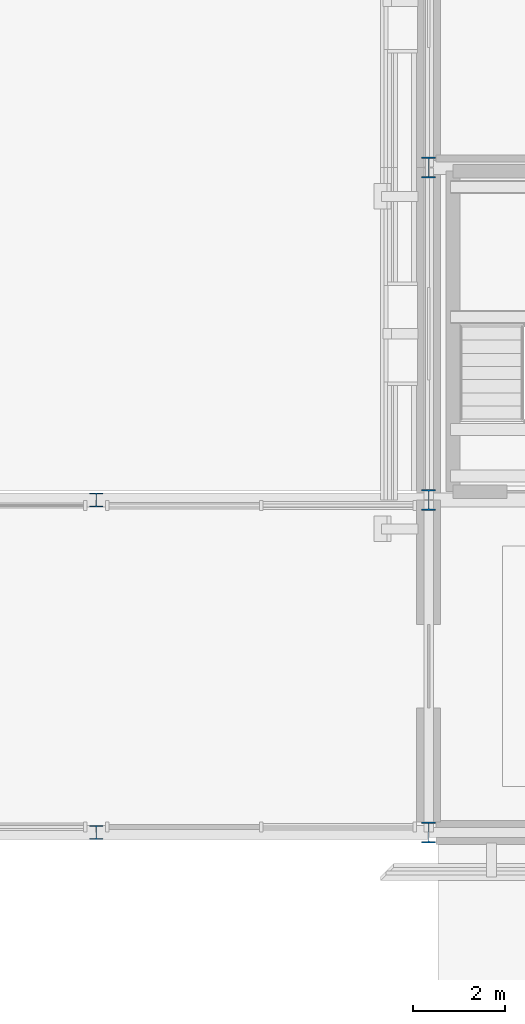
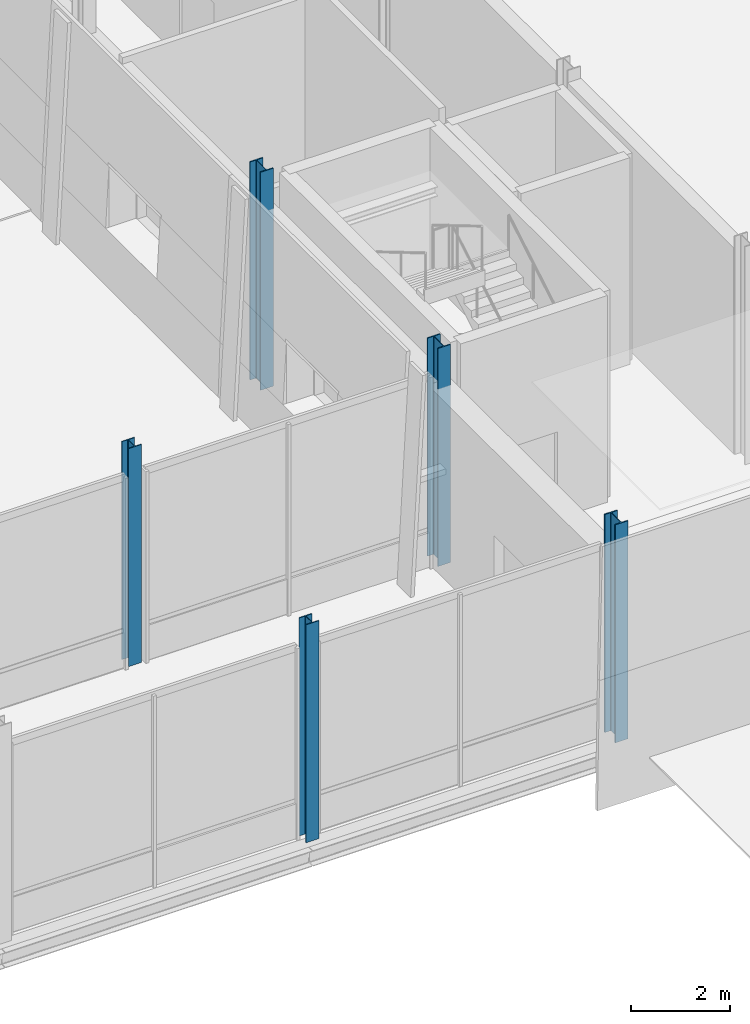
# One storey, part 15 of 120: 5 columns.
"""IFC4 building model written with IfcOpenShell, lengths in metres."""

from ifc_helpers import new_model, si_unit, direction, frame, origin, origin_2d, place, context, subcontext, project, spatial, i_section, extrude, material, material_profile, profile_set, type_object, element, save


model = new_model("IFC4")

# Units and contexts
model_context = context("Model", 3, precision=1e-05, world=origin(), true_north=direction((0.0, 1.0)))
body_context = subcontext(model_context, "Body", "Model", "MODEL_VIEW")
ifc_project = project(units=[si_unit("LENGTHUNIT", "METRE"), si_unit("AREAUNIT", "SQUARE_METRE"), si_unit("VOLUMEUNIT", "CUBIC_METRE"), si_unit("PLANEANGLEUNIT", "RADIAN"), si_unit("MASSUNIT", "GRAM", prefix="KILO")], contexts=[model_context])

# Site, building, storey
site_placement = place(None, origin())
site = spatial("IfcSite", under=ifc_project, at=site_placement, CompositionType="ELEMENT")
building_placement = place(site_placement, origin())
building = spatial("IfcBuilding", under=site, at=building_placement, Name="Narikvali Park Central Library", CompositionType="ELEMENT")
storey_placement = place(building_placement, origin())
storey = spatial("IfcBuildingStorey", under=building, at=storey_placement, Name="L00", CompositionType="ELEMENT", Elevation=0.0)

# Columns
ifc_material = material(Name="Steel S355", Category="steel")
ifc_material_profile_1 = material_profile(ifc_material, i_section(OverallWidth=0.300048828125, OverallDepth=0.300048828125, WebThickness=0.010986328125, FlangeThickness=0.01904296875, FilletRadius=0.027099609375, at=origin_2d()), Name="HEB 300")
ifc_profile_set_1 = profile_set([ifc_material_profile_1], Name="Steel S355")
column_type_1 = type_object("IfcColumnType", Name="Steel Column HEB300", PredefinedType="COLUMN", material=ifc_profile_set_1)
for number, where, z_axis, x_axis, name in (
    (1, (115.199951171875, 79.199951171875, 0.0), (0.0, 0.0, 1.0), (1.0, 0.0, 0.0), "BRG-3 Bridge Pier L00"),
    (2, (115.199951171875, 86.39990234375, 0.0), (0.0, 0.0, 1.0), (1.0, 0.0, 0.0), "BRG-3 Bridge Pier L00"),
):
    element("IfcColumn", number, at=place(storey_placement, frame(where, z_axis=z_axis, x_axis=x_axis)), inside=storey, type_object=column_type_1, Name=name, PredefinedType="COLUMN", context=body_context, shape_type="SweptSolid", body=[
        extrude(i_section(OverallWidth=0.300048828125, OverallDepth=0.300048828125, WebThickness=0.010986328125, FlangeThickness=0.01904296875, FilletRadius=0.027099609375, at=origin_2d()), origin(), (0.0, 0.0, 1.0), 5.39990234375),
    ])
ifc_material_profile_2 = material_profile(ifc_material, i_section(OverallWidth=0.300048828125, OverallDepth=0.449951171875, WebThickness=0.013916015625, FlangeThickness=0.02587890625, FilletRadius=0.027099609375, at=origin_2d()), Name="HEB 450")
ifc_profile_set_2 = profile_set([ifc_material_profile_2], Name="Steel S355")
column_type_2 = type_object("IfcColumnType", Name="Steel Column HEB450", PredefinedType="COLUMN", material=ifc_profile_set_2)
for number, where, z_axis, x_axis, name in (
    (3, (122.39990234375, 79.199951171875, 0.0), (0.0, 0.0, 1.0), (1.0, 0.0, 0.0), "V3 L00 Column (122.4,79.2)"),
    (4, (122.39990234375, 86.39990234375, 0.0), (0.0, 0.0, 1.0), (1.0, 0.0, 0.0), "V3 L00 Column (122.4,86.4)"),
    (5, (122.39990234375, 93.60009765625, 0.0), (0.0, 0.0, 1.0), (1.0, 0.0, 0.0), "V3 L00 Column (122.4,93.6)"),
):
    element("IfcColumn", number, at=place(storey_placement, frame(where, z_axis=z_axis, x_axis=x_axis)), inside=storey, type_object=column_type_2, Name=name, PredefinedType="COLUMN", context=body_context, shape_type="SweptSolid", body=[
        extrude(i_section(OverallWidth=0.300048828125, OverallDepth=0.449951171875, WebThickness=0.013916015625, FlangeThickness=0.02587890625, FilletRadius=0.027099609375, at=origin_2d()), origin(), (0.0, 0.0, 1.0), 5.39990234375),
    ])

save(model, "model.ifc")
